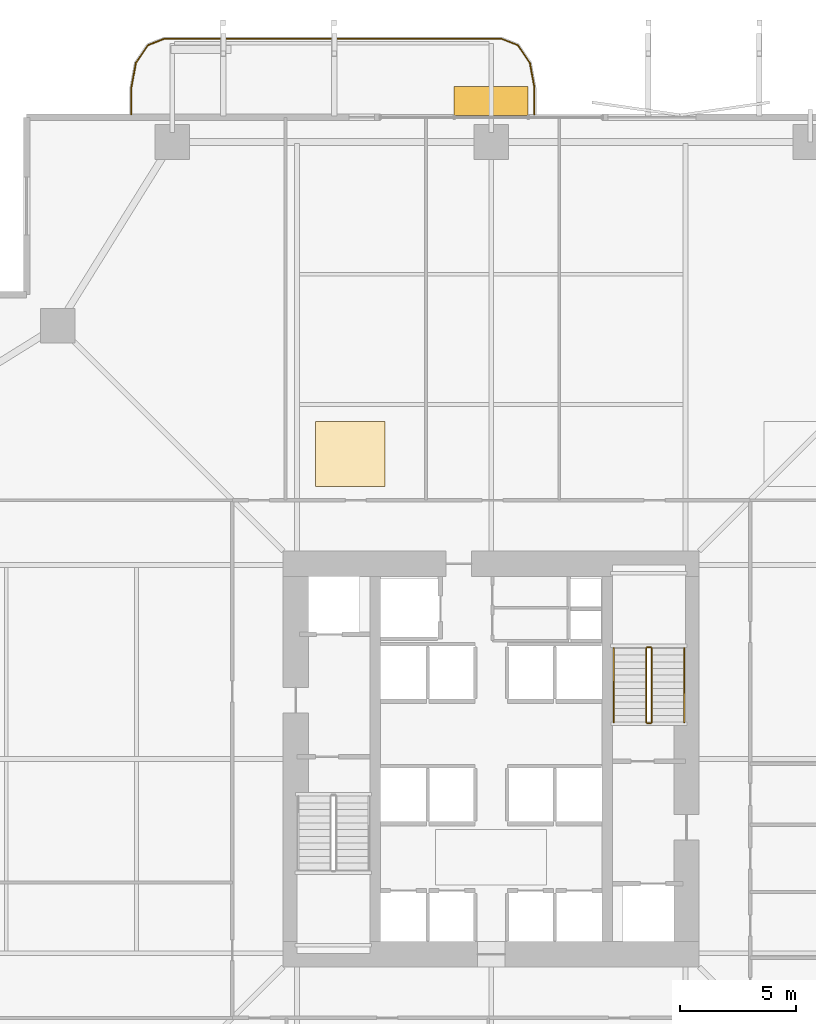
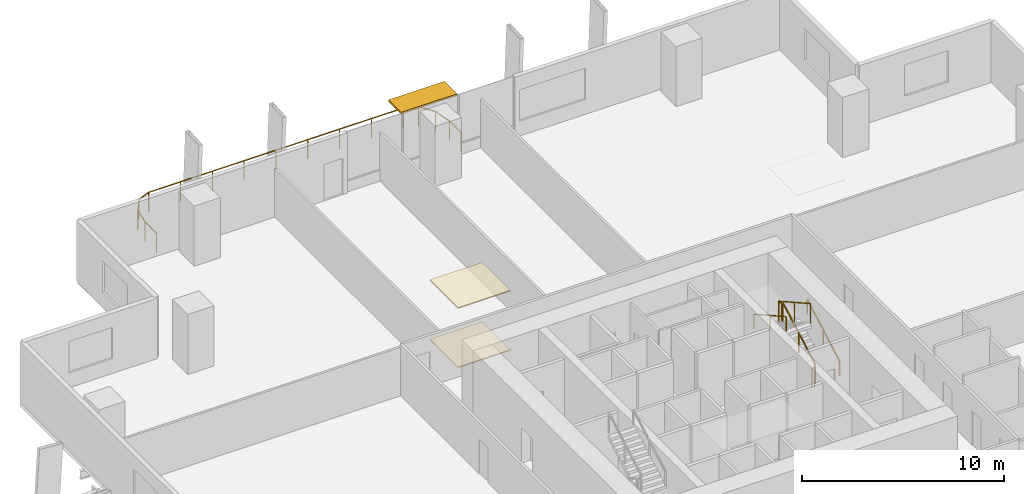
# One storey, part 23 of 24: 7 railings, 2 coverings, 1 shading device.
"""IFC4 building model written with IfcOpenShell, lengths in metres."""

from ifc_helpers import new_model, si_unit, direction, frame, origin, origin_2d, place, context, subcontext, project, spatial, polyline, rectangle, outline, extrude, material, layer, layer_set, type_object, element, save


model = new_model("IFC4")

# Units and contexts
model_context = context("Model", 3, precision=1e-05, world=origin(), true_north=direction((0.0, 1.0)))
body_context = subcontext(model_context, "Body", "Model", "MODEL_VIEW")
ifc_project = project(units=[si_unit("LENGTHUNIT", "METRE"), si_unit("AREAUNIT", "SQUARE_METRE"), si_unit("VOLUMEUNIT", "CUBIC_METRE"), si_unit("PLANEANGLEUNIT", "RADIAN"), si_unit("MASSUNIT", "GRAM", prefix="KILO")], contexts=[model_context])

# Site, building, storey
site_placement = place(None, origin())
site = spatial("IfcSite", under=ifc_project, at=site_placement, CompositionType="ELEMENT")
building_placement = place(site_placement, origin())
building = spatial("IfcBuilding", under=site, at=building_placement, Name="Belovzor Exchange Tower", CompositionType="ELEMENT")
storey_placement = place(building_placement, frame((0.0, 0.0, 33.89990234375)))
storey = spatial("IfcBuildingStorey", under=building, at=storey_placement, Name="L07", CompositionType="ELEMENT", Elevation=33.89990234375)

# Railings
ifc_material_1 = material(Name="Stainless Steel Grade 304", Category="steel")
railing_type_1 = type_object("IfcRailingType", Name="Brushed Stainless Steel Stair Handrail 900", PredefinedType="HANDRAIL", material=ifc_material_1)
railing_1_placement = place(storey_placement, frame((37.14990234375, 30.39990234375, 0.16259765625)))
element("IfcRailing", 1, at=railing_1_placement, inside=storey, type_object=railing_type_1, Name="L07 ST-2 stair handrail 1", PredefinedType="HANDRAIL", context=body_context, shape_type="SweptSolid", body=[
    extrude(rectangle(XDim=0.048095703125, YDim=0.048095703125, at=origin_2d()), frame((0.0, 0.0, 0.8759765625), z_axis=(0.0, 0.87237847985, 0.488831042279), x_axis=(-1.0, 0.0, 0.0)), (0.0, 0.0, 1.0), 3.656982421875),
    extrude(rectangle(XDim=0.0419921875, YDim=0.0419921875, at=origin_2d()), origin(), (0.0, 0.0, 1.0), 0.851806640625),
    extrude(rectangle(XDim=0.0419921875, YDim=0.0419921875, at=origin_2d()), frame((0.0, 1.59521484375, 0.893798828125)), (0.0, 0.0, 1.0), 0.851806640625),
    extrude(rectangle(XDim=0.0419921875, YDim=0.0419921875, at=origin_2d()), frame((0.0, 3.190185546875, 1.78759765625)), (0.0, 0.0, 1.0), 0.851806640625),
])
railing_2_placement = place(storey_placement, frame((34.10009765625, 33.590087890625, 2.112548828125)))
element("IfcRailing", 2, at=railing_2_placement, inside=storey, type_object=railing_type_1, Name="L07 ST-2 stair handrail 2", PredefinedType="HANDRAIL", context=body_context, shape_type="SweptSolid", body=[
    extrude(rectangle(XDim=0.048095703125, YDim=0.048095703125, at=origin_2d()), frame((0.0, 0.0, 0.8759765625), z_axis=(0.0, -0.87237847985, 0.488831042279), x_axis=(1.0, 0.0, 0.0)), (0.0, 0.0, 1.0), 3.656982421875),
    extrude(rectangle(XDim=0.0419921875, YDim=0.0419921875, at=origin_2d()), origin(), (0.0, 0.0, 1.0), 0.851806640625),
    extrude(rectangle(XDim=0.0419921875, YDim=0.0419921875, at=origin_2d()), frame((0.0, -1.59521484375, 0.893798828125)), (0.0, 0.0, 1.0), 0.851806640625),
    extrude(rectangle(XDim=0.0419921875, YDim=0.0419921875, at=origin_2d()), frame((0.0, -3.190185546875, 1.78759765625)), (0.0, 0.0, 1.0), 0.851806640625),
])
ifc_material_2 = material(Name="Stainless Steel and Laminated Safety Glass", Category="steel")
railing_type_2 = type_object("IfcRailingType", Name="Laminated Glass & Stainless Steel Balcony Balustrade 1200", PredefinedType="BALUSTRADE", material=ifc_material_2)
railing_3_placement = place(storey_placement, frame((30.669921875, 56.7099609375, 0.0)))
element("IfcRailing", 3, at=railing_3_placement, inside=storey, type_object=railing_type_2, Name="GR-1 Balcony Balustrade L07 North", PredefinedType="BALUSTRADE", context=body_context, shape_type="SweptSolid", body=[
    extrude(rectangle(XDim=0.048095703125, YDim=0.048095703125, at=origin_2d()), frame((0.0, 0.0, 1.17578125), z_axis=(0.0, 1.0, 0.0), x_axis=(-1.0, 0.0, 0.0)), (0.0, 0.0, 1.0), 1.133056640625),
    extrude(rectangle(XDim=0.048095703125, YDim=0.048095703125, at=origin_2d()), frame((0.0, 1.133056640625, 1.17578125), z_axis=(-0.180122719713, 0.983644145941, 0.0), x_axis=(-0.983644145941, -0.180122719713, 0.0)), (0.0, 0.0, 1.0), 1.09375),
    extrude(rectangle(XDim=0.048095703125, YDim=0.048095703125, at=origin_2d()), frame((-0.197021484375, 2.208984375, 1.17578125), z_axis=(-0.562768145367, 0.826614792125, 0.0), x_axis=(-0.826614792125, -0.562768145367, 0.0)), (0.0, 0.0, 1.0), 0.9326171875),
    extrude(rectangle(XDim=0.048095703125, YDim=0.048095703125, at=origin_2d()), frame((-0.721923828125, 2.97998046875, 1.17578125), z_axis=(-0.930766990125, 0.365612923861, 0.0), x_axis=(-0.365612923861, -0.930766990125, 0.0)), (0.0, 0.0, 1.0), 0.765869140625),
    extrude(rectangle(XDim=0.048095703125, YDim=0.048095703125, at=origin_2d()), frame((-1.434814453125, 3.260009765625, 1.17578125), z_axis=(-1.0, 0.0, 0.0), x_axis=(0.0, -1.0, 0.0)), (0.0, 0.0, 1.0), 14.570068359375),
    extrude(rectangle(XDim=0.048095703125, YDim=0.048095703125, at=origin_2d()), frame((-16.0048828125, 3.260009765625, 1.17578125), z_axis=(-0.930809580156, -0.365504480807, 0.0), x_axis=(0.365504480807, -0.930809580156, 0.0)), (0.0, 0.0, 1.0), 0.76611328125),
    extrude(rectangle(XDim=0.048095703125, YDim=0.048095703125, at=origin_2d()), frame((-16.718017578125, 2.97998046875, 1.17578125), z_axis=(-0.562768145367, -0.826614792125, 0.0), x_axis=(0.826614792125, -0.562768145367, 0.0)), (0.0, 0.0, 1.0), 0.9326171875),
    extrude(rectangle(XDim=0.048095703125, YDim=0.048095703125, at=origin_2d()), frame((-17.242919921875, 2.208984375, 1.17578125), z_axis=(-0.180122719713, -0.983644145941, 0.0), x_axis=(0.983644145941, -0.180122719713, 0.0)), (0.0, 0.0, 1.0), 1.09375),
    extrude(rectangle(XDim=0.048095703125, YDim=0.048095703125, at=origin_2d()), frame((-17.43994140625, 1.133056640625, 1.17578125), z_axis=(0.0, -1.0, 0.0), x_axis=(1.0, 0.0, 0.0)), (0.0, 0.0, 1.0), 1.133056640625),
    extrude(rectangle(XDim=0.0419921875, YDim=0.0419921875, at=origin_2d()), origin(), (0.0, 0.0, 1.0), 1.15185546875),
    extrude(rectangle(XDim=0.0419921875, YDim=0.0419921875, at=origin_2d()), frame((0.0, 1.133056640625, 0.0)), (0.0, 0.0, 1.0), 1.15185546875),
    extrude(rectangle(XDim=0.0419921875, YDim=0.0419921875, at=origin_2d()), frame((-0.197021484375, 2.208984375, 0.0)), (0.0, 0.0, 1.0), 1.15185546875),
    extrude(rectangle(XDim=0.0419921875, YDim=0.0419921875, at=origin_2d()), frame((-0.721923828125, 2.97998046875, 0.0)), (0.0, 0.0, 1.0), 1.15185546875),
    extrude(rectangle(XDim=0.0419921875, YDim=0.0419921875, at=origin_2d()), frame((-1.434814453125, 3.260009765625, 0.0)), (0.0, 0.0, 1.0), 1.15185546875),
    extrude(rectangle(XDim=0.0419921875, YDim=0.0419921875, at=origin_2d()), frame((-3.256103515625, 3.260009765625, 0.0)), (0.0, 0.0, 1.0), 1.15185546875),
    extrude(rectangle(XDim=0.0419921875, YDim=0.0419921875, at=origin_2d()), frame((-5.077392578125, 3.260009765625, 0.0)), (0.0, 0.0, 1.0), 1.15185546875),
    extrude(rectangle(XDim=0.0419921875, YDim=0.0419921875, at=origin_2d()), frame((-6.898681640625, 3.260009765625, 0.0)), (0.0, 0.0, 1.0), 1.15185546875),
    extrude(rectangle(XDim=0.0419921875, YDim=0.0419921875, at=origin_2d()), frame((-8.7197265625, 3.260009765625, 0.0)), (0.0, 0.0, 1.0), 1.15185546875),
    extrude(rectangle(XDim=0.0419921875, YDim=0.0419921875, at=origin_2d()), frame((-10.541015625, 3.260009765625, 0.0)), (0.0, 0.0, 1.0), 1.15185546875),
    extrude(rectangle(XDim=0.0419921875, YDim=0.0419921875, at=origin_2d()), frame((-12.3623046875, 3.260009765625, 0.0)), (0.0, 0.0, 1.0), 1.15185546875),
    extrude(rectangle(XDim=0.0419921875, YDim=0.0419921875, at=origin_2d()), frame((-14.18359375, 3.260009765625, 0.0)), (0.0, 0.0, 1.0), 1.15185546875),
    extrude(rectangle(XDim=0.0419921875, YDim=0.0419921875, at=origin_2d()), frame((-16.0048828125, 3.260009765625, 0.0)), (0.0, 0.0, 1.0), 1.15185546875),
    extrude(rectangle(XDim=0.0419921875, YDim=0.0419921875, at=origin_2d()), frame((-16.718017578125, 2.97998046875, 0.0)), (0.0, 0.0, 1.0), 1.15185546875),
    extrude(rectangle(XDim=0.0419921875, YDim=0.0419921875, at=origin_2d()), frame((-17.242919921875, 2.208984375, 0.0)), (0.0, 0.0, 1.0), 1.15185546875),
    extrude(rectangle(XDim=0.0419921875, YDim=0.0419921875, at=origin_2d()), frame((-17.43994140625, 1.133056640625, 0.0)), (0.0, 0.0, 1.0), 1.15185546875),
    extrude(rectangle(XDim=0.0419921875, YDim=0.0419921875, at=origin_2d()), frame((-17.43994140625, 0.0, 0.0)), (0.0, 0.0, 1.0), 1.15185546875),
])
ifc_material_3 = material(Name="Steel S355", Category="steel")
railing_type_3 = type_object("IfcRailingType", Name="Painted Steel Stairwell Guardrail 1200", PredefinedType="GUARDRAIL", material=ifc_material_3)
railing_4_placement = place(storey_placement, frame((35.75, 30.39990234375, 0.16259765625)))
element("IfcRailing", 4, at=railing_4_placement, inside=storey, type_object=railing_type_3, Name="L07 ST-2 stair guard 1", PredefinedType="GUARDRAIL", context=body_context, shape_type="SweptSolid", body=[
    extrude(rectangle(XDim=0.048095703125, YDim=0.048095703125, at=origin_2d()), frame((0.0, 0.0, 1.17578125), z_axis=(0.0, 0.87237847985, 0.488831042279), x_axis=(-1.0, 0.0, 0.0)), (0.0, 0.0, 1.0), 3.656982421875),
    extrude(rectangle(XDim=0.0419921875, YDim=0.0419921875, at=origin_2d()), origin(), (0.0, 0.0, 1.0), 1.15185546875),
    extrude(rectangle(XDim=0.0419921875, YDim=0.0419921875, at=origin_2d()), frame((0.0, 1.59521484375, 0.893798828125)), (0.0, 0.0, 1.0), 1.15185546875),
    extrude(rectangle(XDim=0.0419921875, YDim=0.0419921875, at=origin_2d()), frame((0.0, 3.190185546875, 1.78759765625)), (0.0, 0.0, 1.0), 1.15185546875),
])
railing_5_placement = place(storey_placement, frame((35.699951171875, 33.639892578125, 1.9501953125)))
element("IfcRailing", 5, at=railing_5_placement, inside=storey, type_object=railing_type_3, Name="L07 ST-2 stair guard 2", PredefinedType="GUARDRAIL", context=body_context, shape_type="SweptSolid", body=[
    extrude(rectangle(XDim=0.048095703125, YDim=0.048095703125, at=origin_2d()), frame((0.0, 0.0, 1.17578125), z_axis=(-1.0, 0.0, 0.0), x_axis=(0.0, -1.0, 0.0)), (0.0, 0.0, 1.0), 0.14990234375),
    extrude(rectangle(XDim=0.0419921875, YDim=0.0419921875, at=origin_2d()), origin(), (0.0, 0.0, 1.0), 1.15185546875),
    extrude(rectangle(XDim=0.0419921875, YDim=0.0419921875, at=origin_2d()), frame((-0.14990234375, 0.0, 0.0)), (0.0, 0.0, 1.0), 1.15185546875),
])
railing_6_placement = place(storey_placement, frame((35.5, 33.590087890625, 2.112548828125)))
element("IfcRailing", 6, at=railing_6_placement, inside=storey, type_object=railing_type_3, Name="L07 ST-2 stair guard 3", PredefinedType="GUARDRAIL", context=body_context, shape_type="SweptSolid", body=[
    extrude(rectangle(XDim=0.048095703125, YDim=0.048095703125, at=origin_2d()), frame((0.0, 0.0, 1.17578125), z_axis=(0.0, -0.87237847985, 0.488831042279), x_axis=(1.0, 0.0, 0.0)), (0.0, 0.0, 1.0), 3.656982421875),
    extrude(rectangle(XDim=0.0419921875, YDim=0.0419921875, at=origin_2d()), origin(), (0.0, 0.0, 1.0), 1.15185546875),
    extrude(rectangle(XDim=0.0419921875, YDim=0.0419921875, at=origin_2d()), frame((0.0, -1.59521484375, 0.893798828125)), (0.0, 0.0, 1.0), 1.15185546875),
    extrude(rectangle(XDim=0.0419921875, YDim=0.0419921875, at=origin_2d()), frame((0.0, -3.190185546875, 1.78759765625)), (0.0, 0.0, 1.0), 1.15185546875),
])
railing_7_placement = place(storey_placement, frame((35.699951171875, 30.35009765625, 0.0)))
element("IfcRailing", 7, at=railing_7_placement, inside=storey, type_object=railing_type_3, Name="L07 ST-2 stair guard 4", PredefinedType="GUARDRAIL", context=body_context, shape_type="SweptSolid", body=[
    extrude(rectangle(XDim=0.048095703125, YDim=0.048095703125, at=origin_2d()), frame((0.0, 0.0, 1.17578125), z_axis=(-1.0, 0.0, 0.0), x_axis=(0.0, -1.0, 0.0)), (0.0, 0.0, 1.0), 0.14990234375),
    extrude(rectangle(XDim=0.0419921875, YDim=0.0419921875, at=origin_2d()), origin(), (0.0, 0.0, 1.0), 1.15185546875),
    extrude(rectangle(XDim=0.0419921875, YDim=0.0419921875, at=origin_2d()), frame((-0.14990234375, 0.0, 0.0)), (0.0, 0.0, 1.0), 1.15185546875),
])

# Coverings
ifc_material_4 = material(Name="Perforated Powder-Coated Aluminium", Category="aluminium")
ifc_layer_1 = layer(ifc_material_4, 0.06005859375)
ifc_layer_set_1 = layer_set([ifc_layer_1], Name="Perforated Powder-Coated Aluminium")
covering_type_1 = type_object("IfcCoveringType", Name="Perforated Acoustic Metal Tile Suspended Ceiling 60", PredefinedType="CEILING", material=ifc_layer_set_1)
covering_1_placement = place(storey_placement, frame((0.0, 0.0, 3.590087890625)))
element("IfcCovering", 8, at=covering_1_placement, inside=storey, type_object=covering_type_1, Name="CLG-AC60 Suspended Ceiling CLG-L07-Z3", PredefinedType="CEILING", context=body_context, shape_type="SweptSolid", body=[
    extrude(outline(polyline([(21.199951171875, 40.60009765625), (24.199951171875, 40.60009765625), (24.199951171875, 43.39990234375), (21.199951171875, 43.39990234375), (21.199951171875, 40.60009765625)])), origin(), (0.0, 0.0, 1.0), 0.06005859375),
])
ifc_material_5 = material(Name="Polished Natural Granite Tile", Category="masonry")
ifc_layer_2 = layer(ifc_material_5, 0.050048828125)
ifc_layer_set_2 = layer_set([ifc_layer_2], Name="Polished Natural Granite Tile")
covering_type_2 = type_object("IfcCoveringType", Name="Polished Karelian Granite & Raised Access Floor Finish 50", PredefinedType="FLOORING", material=ifc_layer_set_2)
covering_2_placement = place(storey_placement, origin())
element("IfcCovering", 9, at=covering_2_placement, inside=storey, type_object=covering_type_2, Name="FLR-GR50 Floor Finish FLR-L07-Z3", PredefinedType="FLOORING", context=body_context, shape_type="SweptSolid", body=[
    extrude(outline(polyline([(21.199951171875, 40.60009765625), (24.199951171875, 40.60009765625), (24.199951171875, 43.39990234375), (21.199951171875, 43.39990234375), (21.199951171875, 40.60009765625)])), origin(), (0.0, 0.0, 1.0), 0.050048828125),
])

# Shading device
ifc_material_6 = material(Name="Extruded Architectural Terracotta", Category="masonry")
ifc_layer_3 = layer(ifc_material_6, 0.1201171875)
ifc_layer_set_3 = layer_set([ifc_layer_3], Name="Extruded Architectural Terracotta")
shading_device_type = type_object("IfcShadingDeviceType", Name="Streamline Terracotta Horizontal Sunshade Hood 1250", PredefinedType="AWNING", material=ifc_layer_set_3)
shading_device_placement = place(storey_placement, frame((28.800048828125, 57.264892578125, 3.530029296875), z_axis=(0.0, 0.0, 1.0), x_axis=(1.0, 0.0, 0.0)))
element("IfcShadingDevice", 10, at=shading_device_placement, inside=storey, type_object=shading_device_type, Name="SHD-TC125 Terracotta Sunshade L07 N", PredefinedType="AWNING", context=body_context, shape_type="SweptSolid", body=[
    extrude(rectangle(XDim=3.199951171875, YDim=1.25, at=origin_2d()), origin(), (0.0, 0.0, 1.0), 0.1201171875),
])

save(model, "model.ifc")
